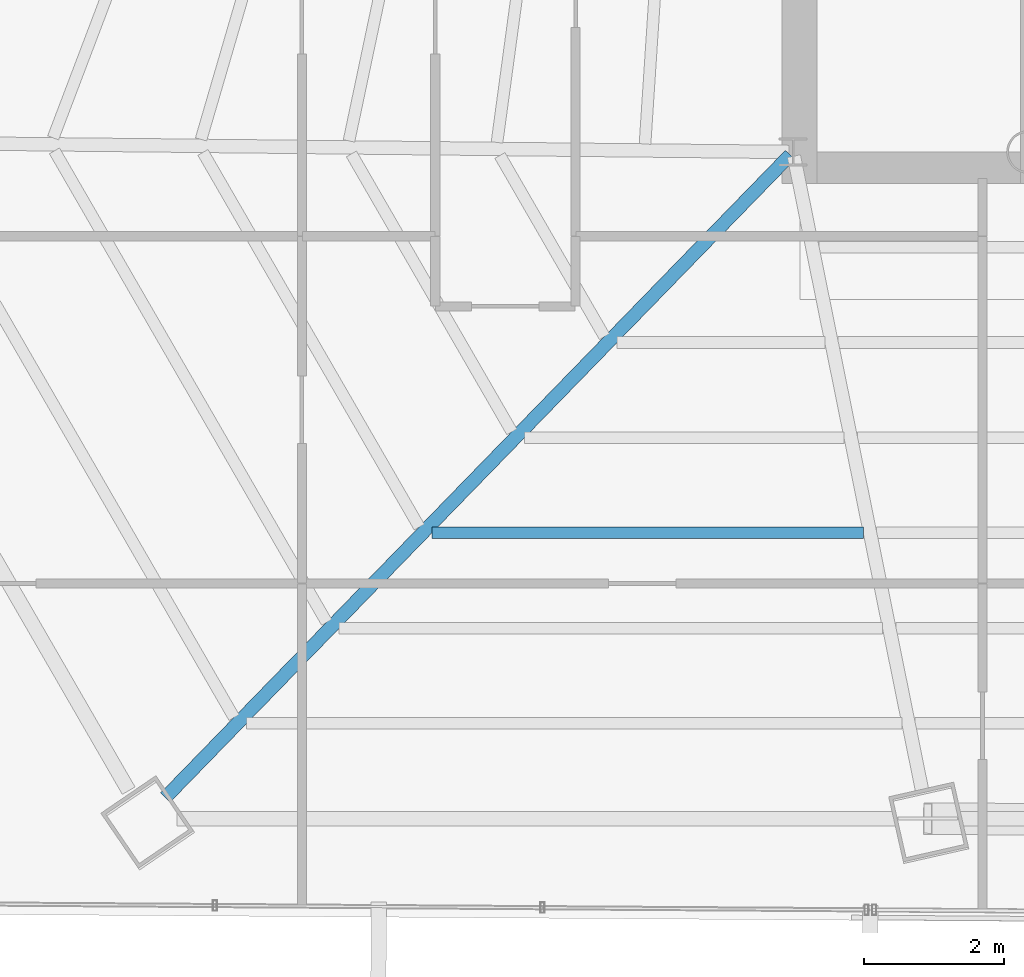
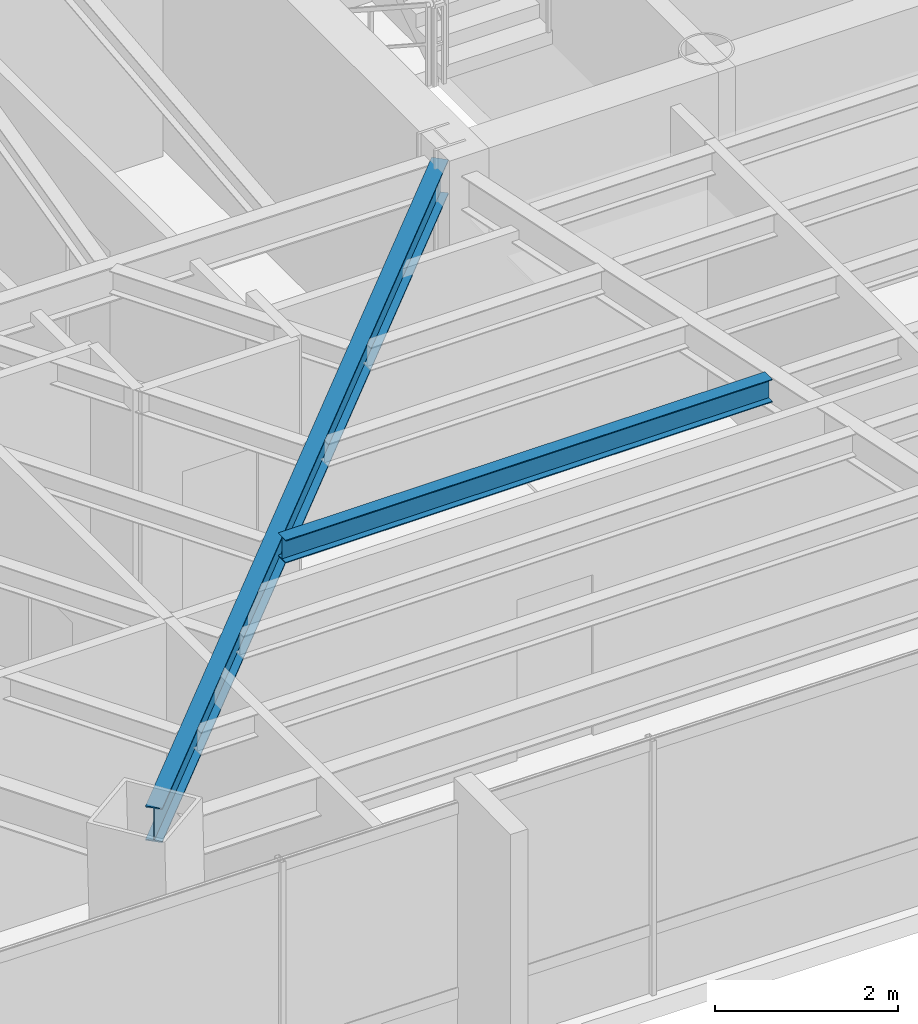
# One storey, part 5 of 41: 2 beams.
"""IFC4 building model written with IfcOpenShell, lengths in metres."""

from ifc_helpers import new_model, si_unit, direction, frame, origin, origin_2d, place, context, subcontext, project, spatial, i_section, extrude, source, transform, mapped, material, material_profile, profile_set, type_object, type_shapes, element, save


model = new_model("IFC4")

# Units and contexts
model_context = context("Model", 3, precision=1e-05, world=origin(), true_north=direction((0.0, 1.0)))
body_context = subcontext(model_context, "Body", "Model", "MODEL_VIEW")
ifc_project = project(units=[si_unit("LENGTHUNIT", "METRE"), si_unit("AREAUNIT", "SQUARE_METRE"), si_unit("VOLUMEUNIT", "CUBIC_METRE"), si_unit("PLANEANGLEUNIT", "RADIAN"), si_unit("MASSUNIT", "GRAM", prefix="KILO")], contexts=[model_context])

# Site, building, storey
site_placement = place(None, origin())
site = spatial("IfcSite", under=ifc_project, at=site_placement, CompositionType="ELEMENT")
building_placement = place(site_placement, origin())
building = spatial("IfcBuilding", under=site, at=building_placement, Name="Caelisora Broadcast Tower", CompositionType="ELEMENT")
storey_placement = place(building_placement, frame((0.0, 0.0, 180.39990234375)))
storey = spatial("IfcBuildingStorey", under=building, at=storey_placement, Name="L47", CompositionType="ELEMENT", Elevation=180.39990234375)

# Beams
ifc_material = material(Name="Steel Grade 350 (AS/NZS 3679.1)", Category="steel")
ifc_material_profile_1 = material_profile(ifc_material, i_section(OverallWidth=0.19091796875, OverallDepth=0.46044921875, WebThickness=0.010009765625, FlangeThickness=0.01611328125, at=origin_2d()), Name="Steel Grade 350 (AS/NZS 3679.1)")
ifc_profile_set_1 = profile_set([ifc_material_profile_1], Name="Steel Grade 350 (AS/NZS 3679.1)")
beam_type_1 = type_object("IfcBeamType", Name="PG06", PredefinedType="BEAM", material=ifc_profile_set_1)
shared_shape_1 = source(origin(), body_context, "Body", "SweptSolid", [
    extrude(i_section(OverallWidth=0.19091796875, OverallDepth=0.46044921875, WebThickness=0.010009765625, FlangeThickness=0.01611328125, at=origin_2d()), origin(), (0.0, 0.0, 1.0), 12.77294921875),
])
type_shapes(beam_type_1, [shared_shape_1])
beam_1_placement = place(storey_placement, frame((30.458251953125, 17.35693359375, 3.169921875), z_axis=(-0.697165459006, -0.716910261308, 0.0), x_axis=(0.716910261308, -0.697165459006, 0.0)))
element("IfcBeam", 1, at=beam_1_placement, inside=storey, type_object=beam_type_1, Name="L47 beam PG06", PredefinedType="BEAM", context=body_context, shape_type="MappedRepresentation", body=[
    mapped(shared_shape_1, transform((0.0, 0.0, 0.0), scale=1.0)),
])
ifc_material_profile_2 = material_profile(ifc_material, i_section(OverallWidth=0.166015625, OverallDepth=0.30712890625, WebThickness=0.006591796875, FlangeThickness=0.01171875, at=origin_2d()), Name="Steel Grade 350 (AS/NZS 3679.1)")
ifc_profile_set_2 = profile_set([ifc_material_profile_2], Name="Steel Grade 350 (AS/NZS 3679.1)")
beam_type_2 = type_object("IfcBeamType", Name="SB03", PredefinedType="JOIST", material=ifc_profile_set_2)
shared_shape_2 = source(origin(), body_context, "Body", "SweptSolid", [
    extrude(i_section(OverallWidth=0.166015625, OverallDepth=0.30712890625, WebThickness=0.006591796875, FlangeThickness=0.01171875, at=origin_2d()), origin(), (0.0, 0.0, 1.0), 6.15234375),
])
type_shapes(beam_type_2, [shared_shape_2])
beam_2_placement = place(storey_placement, frame((25.3505859375, 11.970703125, 3.24658203125), z_axis=(1.0, 0.0, 0.0), x_axis=(0.0, 1.0, 0.0)))
element("IfcBeam", 2, at=beam_2_placement, inside=storey, type_object=beam_type_2, Name="L47 beam SB03", PredefinedType="JOIST", context=body_context, shape_type="MappedRepresentation", body=[
    mapped(shared_shape_2, transform((0.0, 0.0, 0.0), scale=1.0)),
])

save(model, "model.ifc")
